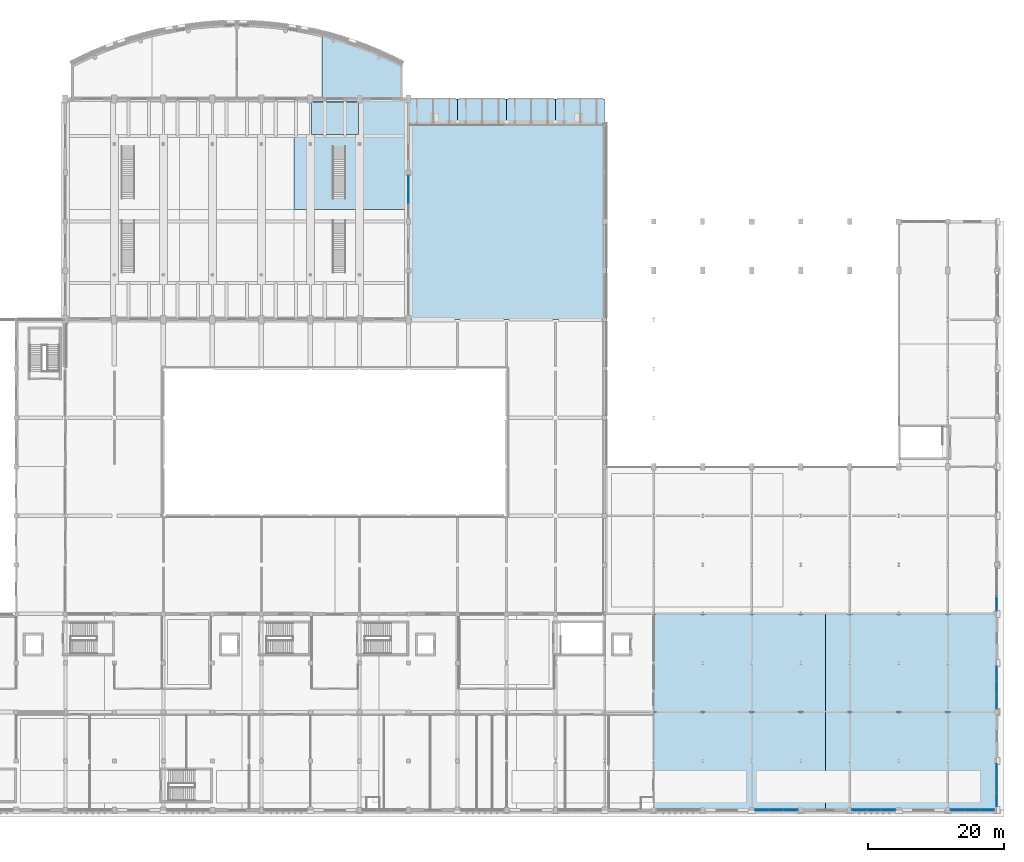
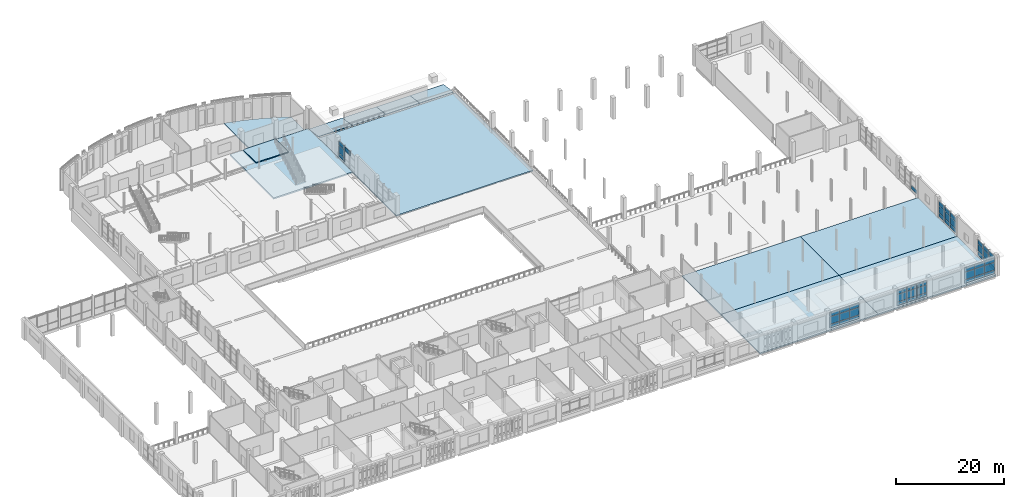
# One storey, part 49 of 82: 50 plates, 12 slabs, 7 elements without a shape of their own.
"""IFC4 building model written with IfcOpenShell, lengths in metres."""

from ifc_helpers import new_model, si_unit, direction, frame, origin, origin_2d, place, context, subcontext, project, spatial, polyline, rectangle, outline, extrude, material, layer, layer_set, type_object, element, aggregate, save


model = new_model("IFC4")

# Units and contexts
model_context = context("Model", 3, precision=1e-05, world=origin(), true_north=direction((0.0, 1.0)))
body_context = subcontext(model_context, "Body", "Model", "MODEL_VIEW")
ifc_project = project(units=[si_unit("LENGTHUNIT", "METRE"), si_unit("AREAUNIT", "SQUARE_METRE"), si_unit("VOLUMEUNIT", "CUBIC_METRE"), si_unit("PLANEANGLEUNIT", "RADIAN"), si_unit("MASSUNIT", "GRAM", prefix="KILO")], contexts=[model_context])

# Site, building, storey
site_placement = place(None, origin())
site = spatial("IfcSite", under=ifc_project, at=site_placement, CompositionType="ELEMENT")
building_placement = place(site_placement, origin())
building = spatial("IfcBuilding", under=site, at=building_placement, Name="Sardonyx Promenade Sports Hall", CompositionType="ELEMENT")
storey_placement = place(building_placement, frame((0.0, 0.0, 11.199951171875)))
storey = spatial("IfcBuildingStorey", under=building, at=storey_placement, Name="L02", CompositionType="ELEMENT", Elevation=11.199951171875)

# Curtain wall, plates
ifc_material_1 = material(Name="Aluminium 6063-T6", Category="aluminium")
curtain_wall_type_1 = type_object("IfcCurtainWallType", Name="CW_South_L02_640", PredefinedType="USERDEFINED", material=ifc_material_1)
curtain_wall_1_placement = place(storey_placement, origin())
curtain_wall_1 = element("IfcCurtainWall", 1, at=curtain_wall_1_placement, inside=storey, type_object=curtain_wall_type_1, Name="Curtain wall CW01 cw:L02:029", ObjectType="CURTAIN WALL", PredefinedType="USERDEFINED")
ifc_material_2 = material(Name="Double-glazed solar low-E IGU 28 mm", Category="glass")
ifc_layer_1 = layer(ifc_material_2, 0.028076171875)
ifc_layer_set_1 = layer_set([ifc_layer_1], Name="CW_Pan_Glz_28")
plate_type_1 = type_object("IfcPlateType", Name="CW_Pan_Glz_28", PredefinedType="CURTAIN_PANEL", material=ifc_layer_set_1)
plate_1_placement = place(storey_placement, frame((164.17333984375, 0.0, 0.4150390625), z_axis=(0.0, 0.0, 1.0), x_axis=(-1.0, 0.0, 0.0)))
plate_1 = element("IfcPlate", 2, at=plate_1_placement, type_object=plate_type_1, Name="Curtain panel CP01 cw:L02:029 #1", PredefinedType="CURTAIN_PANEL", context=body_context, shape_type="SweptSolid", body=[
    extrude(rectangle(XDim=2.083251953125, YDim=0.028076171875, at=origin_2d()), origin(), (0.0, 0.0, 1.0), 0.802490234375),
])
plate_2_placement = place(storey_placement, frame((164.17333984375, 0.0, 1.282470703125), z_axis=(0.0, 0.0, 1.0), x_axis=(-1.0, 0.0, 0.0)))
plate_2 = element("IfcPlate", 3, at=plate_2_placement, type_object=plate_type_1, Name="Curtain panel CP01 cw:L02:029 #2", PredefinedType="CURTAIN_PANEL", context=body_context, shape_type="SweptSolid", body=[
    extrude(rectangle(XDim=2.083251953125, YDim=0.028076171875, at=origin_2d()), origin(), (0.0, 0.0, 1.0), 1.68505859375),
])
plate_3_placement = place(storey_placement, frame((164.17333984375, 0.0, 3.03271484375), z_axis=(0.0, 0.0, 1.0), x_axis=(-1.0, 0.0, 0.0)))
plate_3 = element("IfcPlate", 4, at=plate_3_placement, type_object=plate_type_1, Name="Curtain panel CP01 cw:L02:029 #3", PredefinedType="CURTAIN_PANEL", context=body_context, shape_type="SweptSolid", body=[
    extrude(rectangle(XDim=2.083251953125, YDim=0.028076171875, at=origin_2d()), origin(), (0.0, 0.0, 1.0), 0.952392578125),
])
plate_4_placement = place(storey_placement, frame((162.02490234375, 0.0, 0.4150390625), z_axis=(0.0, 0.0, 1.0), x_axis=(-1.0, 0.0, 0.0)))
plate_4 = element("IfcPlate", 5, at=plate_4_placement, type_object=plate_type_1, Name="Curtain panel CP01 cw:L02:029 #4", PredefinedType="CURTAIN_PANEL", context=body_context, shape_type="SweptSolid", body=[
    extrude(rectangle(XDim=2.083251953125, YDim=0.028076171875, at=origin_2d()), origin(), (0.0, 0.0, 1.0), 0.802490234375),
])
plate_5_placement = place(storey_placement, frame((162.02490234375, 0.0, 1.282470703125), z_axis=(0.0, 0.0, 1.0), x_axis=(-1.0, 0.0, 0.0)))
plate_5 = element("IfcPlate", 6, at=plate_5_placement, type_object=plate_type_1, Name="Curtain panel CP01 cw:L02:029 #5", PredefinedType="CURTAIN_PANEL", context=body_context, shape_type="SweptSolid", body=[
    extrude(rectangle(XDim=2.083251953125, YDim=0.028076171875, at=origin_2d()), origin(), (0.0, 0.0, 1.0), 1.68505859375),
])
plate_6_placement = place(storey_placement, frame((162.02490234375, 0.0, 3.03271484375), z_axis=(0.0, 0.0, 1.0), x_axis=(-1.0, 0.0, 0.0)))
plate_6 = element("IfcPlate", 7, at=plate_6_placement, type_object=plate_type_1, Name="Curtain panel CP01 cw:L02:029 #6", PredefinedType="CURTAIN_PANEL", context=body_context, shape_type="SweptSolid", body=[
    extrude(rectangle(XDim=2.083251953125, YDim=0.028076171875, at=origin_2d()), origin(), (0.0, 0.0, 1.0), 0.952392578125),
])
plate_7_placement = place(storey_placement, frame((159.876708984375, 0.0, 0.4150390625), z_axis=(0.0, 0.0, 1.0), x_axis=(-1.0, 0.0, 0.0)))
plate_7 = element("IfcPlate", 8, at=plate_7_placement, type_object=plate_type_1, Name="Curtain panel CP01 cw:L02:029 #7", PredefinedType="CURTAIN_PANEL", context=body_context, shape_type="SweptSolid", body=[
    extrude(rectangle(XDim=2.083251953125, YDim=0.028076171875, at=origin_2d()), origin(), (0.0, 0.0, 1.0), 0.802490234375),
])
plate_8_placement = place(storey_placement, frame((159.876708984375, 0.0, 1.282470703125), z_axis=(0.0, 0.0, 1.0), x_axis=(-1.0, 0.0, 0.0)))
plate_8 = element("IfcPlate", 9, at=plate_8_placement, type_object=plate_type_1, Name="Curtain panel CP01 cw:L02:029 #8", PredefinedType="CURTAIN_PANEL", context=body_context, shape_type="SweptSolid", body=[
    extrude(rectangle(XDim=2.083251953125, YDim=0.028076171875, at=origin_2d()), origin(), (0.0, 0.0, 1.0), 1.68505859375),
])
plate_9_placement = place(storey_placement, frame((159.876708984375, 0.0, 3.03271484375), z_axis=(0.0, 0.0, 1.0), x_axis=(-1.0, 0.0, 0.0)))
plate_9 = element("IfcPlate", 10, at=plate_9_placement, type_object=plate_type_1, Name="Curtain panel CP01 cw:L02:029 #9", PredefinedType="CURTAIN_PANEL", context=body_context, shape_type="SweptSolid", body=[
    extrude(rectangle(XDim=2.083251953125, YDim=0.028076171875, at=origin_2d()), origin(), (0.0, 0.0, 1.0), 0.952392578125),
])
aggregate(curtain_wall_1, [plate_1, plate_2, plate_3, plate_4, plate_5, plate_6, plate_7, plate_8, plate_9])

curtain_wall_2_placement = place(storey_placement, origin())
curtain_wall_2 = element("IfcCurtainWall", 11, at=curtain_wall_2_placement, inside=storey, type_object=curtain_wall_type_1, Name="Curtain wall CW01 cw:L02:030", ObjectType="CURTAIN WALL", PredefinedType="USERDEFINED")
plate_10_placement = place(storey_placement, frame((149.681640625, 0.0, 0.4150390625), z_axis=(0.0, 0.0, 1.0), x_axis=(-1.0, 0.0, 0.0)))
plate_10 = element("IfcPlate", 12, at=plate_10_placement, type_object=plate_type_1, Name="Curtain panel CP01 cw:L02:030 #1", PredefinedType="CURTAIN_PANEL", context=body_context, shape_type="SweptSolid", body=[
    extrude(rectangle(XDim=2.066650390625, YDim=0.028076171875, at=origin_2d()), origin(), (0.0, 0.0, 1.0), 0.802490234375),
])
plate_11_placement = place(storey_placement, frame((149.681640625, 0.0, 1.282470703125), z_axis=(0.0, 0.0, 1.0), x_axis=(-1.0, 0.0, 0.0)))
plate_11 = element("IfcPlate", 13, at=plate_11_placement, type_object=plate_type_1, Name="Curtain panel CP01 cw:L02:030 #2", PredefinedType="CURTAIN_PANEL", context=body_context, shape_type="SweptSolid", body=[
    extrude(rectangle(XDim=2.066650390625, YDim=0.028076171875, at=origin_2d()), origin(), (0.0, 0.0, 1.0), 1.68505859375),
])
plate_12_placement = place(storey_placement, frame((149.681640625, 0.0, 3.03271484375), z_axis=(0.0, 0.0, 1.0), x_axis=(-1.0, 0.0, 0.0)))
plate_12 = element("IfcPlate", 14, at=plate_12_placement, type_object=plate_type_1, Name="Curtain panel CP01 cw:L02:030 #3", PredefinedType="CURTAIN_PANEL", context=body_context, shape_type="SweptSolid", body=[
    extrude(rectangle(XDim=2.066650390625, YDim=0.028076171875, at=origin_2d()), origin(), (0.0, 0.0, 1.0), 0.952392578125),
])
plate_13_placement = place(storey_placement, frame((147.550048828125, 0.0, 0.4150390625), z_axis=(0.0, 0.0, 1.0), x_axis=(-1.0, 0.0, 0.0)))
plate_13 = element("IfcPlate", 15, at=plate_13_placement, type_object=plate_type_1, Name="Curtain panel CP01 cw:L02:030 #4", PredefinedType="CURTAIN_PANEL", context=body_context, shape_type="SweptSolid", body=[
    extrude(rectangle(XDim=2.066650390625, YDim=0.028076171875, at=origin_2d()), origin(), (0.0, 0.0, 1.0), 0.802490234375),
])
plate_14_placement = place(storey_placement, frame((147.550048828125, 0.0, 1.282470703125), z_axis=(0.0, 0.0, 1.0), x_axis=(-1.0, 0.0, 0.0)))
plate_14 = element("IfcPlate", 16, at=plate_14_placement, type_object=plate_type_1, Name="Curtain panel CP01 cw:L02:030 #5", PredefinedType="CURTAIN_PANEL", context=body_context, shape_type="SweptSolid", body=[
    extrude(rectangle(XDim=2.066650390625, YDim=0.028076171875, at=origin_2d()), origin(), (0.0, 0.0, 1.0), 1.68505859375),
])
plate_15_placement = place(storey_placement, frame((147.550048828125, 0.0, 3.03271484375), z_axis=(0.0, 0.0, 1.0), x_axis=(-1.0, 0.0, 0.0)))
plate_15 = element("IfcPlate", 17, at=plate_15_placement, type_object=plate_type_1, Name="Curtain panel CP01 cw:L02:030 #6", PredefinedType="CURTAIN_PANEL", context=body_context, shape_type="SweptSolid", body=[
    extrude(rectangle(XDim=2.066650390625, YDim=0.028076171875, at=origin_2d()), origin(), (0.0, 0.0, 1.0), 0.952392578125),
])
plate_16_placement = place(storey_placement, frame((145.418212890625, 0.0, 0.4150390625), z_axis=(0.0, 0.0, 1.0), x_axis=(-1.0, 0.0, 0.0)))
plate_16 = element("IfcPlate", 18, at=plate_16_placement, type_object=plate_type_1, Name="Curtain panel CP01 cw:L02:030 #7", PredefinedType="CURTAIN_PANEL", context=body_context, shape_type="SweptSolid", body=[
    extrude(rectangle(XDim=2.066650390625, YDim=0.028076171875, at=origin_2d()), origin(), (0.0, 0.0, 1.0), 0.802490234375),
])
plate_17_placement = place(storey_placement, frame((145.418212890625, 0.0, 1.282470703125), z_axis=(0.0, 0.0, 1.0), x_axis=(-1.0, 0.0, 0.0)))
plate_17 = element("IfcPlate", 19, at=plate_17_placement, type_object=plate_type_1, Name="Curtain panel CP01 cw:L02:030 #8", PredefinedType="CURTAIN_PANEL", context=body_context, shape_type="SweptSolid", body=[
    extrude(rectangle(XDim=2.066650390625, YDim=0.028076171875, at=origin_2d()), origin(), (0.0, 0.0, 1.0), 1.68505859375),
])
plate_18_placement = place(storey_placement, frame((145.418212890625, 0.0, 3.03271484375), z_axis=(0.0, 0.0, 1.0), x_axis=(-1.0, 0.0, 0.0)))
plate_18 = element("IfcPlate", 20, at=plate_18_placement, type_object=plate_type_1, Name="Curtain panel CP01 cw:L02:030 #9", PredefinedType="CURTAIN_PANEL", context=body_context, shape_type="SweptSolid", body=[
    extrude(rectangle(XDim=2.066650390625, YDim=0.028076171875, at=origin_2d()), origin(), (0.0, 0.0, 1.0), 0.952392578125),
])
aggregate(curtain_wall_2, [plate_10, plate_11, plate_12, plate_13, plate_14, plate_15, plate_16, plate_17, plate_18])

curtain_wall_3_placement = place(storey_placement, origin())
curtain_wall_3 = element("IfcCurtainWall", 21, at=curtain_wall_3_placement, inside=storey, type_object=curtain_wall_type_1, Name="Curtain wall CW01 cw:L02:031", ObjectType="CURTAIN WALL", PredefinedType="USERDEFINED")
plate_19_placement = place(storey_placement, frame((135.340087890625, 0.0, 0.4150390625), z_axis=(0.0, 0.0, 1.0), x_axis=(-1.0, 0.0, 0.0)))
plate_19 = element("IfcPlate", 22, at=plate_19_placement, type_object=plate_type_1, Name="Curtain panel CP01 cw:L02:031 #1", PredefinedType="CURTAIN_PANEL", context=body_context, shape_type="SweptSolid", body=[
    extrude(rectangle(XDim=2.050048828125, YDim=0.028076171875, at=origin_2d()), origin(), (0.0, 0.0, 1.0), 0.802490234375),
])
plate_20_placement = place(storey_placement, frame((135.340087890625, 0.0, 1.282470703125), z_axis=(0.0, 0.0, 1.0), x_axis=(-1.0, 0.0, 0.0)))
plate_20 = element("IfcPlate", 23, at=plate_20_placement, type_object=plate_type_1, Name="Curtain panel CP01 cw:L02:031 #2", PredefinedType="CURTAIN_PANEL", context=body_context, shape_type="SweptSolid", body=[
    extrude(rectangle(XDim=2.050048828125, YDim=0.028076171875, at=origin_2d()), origin(), (0.0, 0.0, 1.0), 1.68505859375),
])
plate_21_placement = place(storey_placement, frame((135.340087890625, 0.0, 3.03271484375), z_axis=(0.0, 0.0, 1.0), x_axis=(-1.0, 0.0, 0.0)))
plate_21 = element("IfcPlate", 24, at=plate_21_placement, type_object=plate_type_1, Name="Curtain panel CP01 cw:L02:031 #3", PredefinedType="CURTAIN_PANEL", context=body_context, shape_type="SweptSolid", body=[
    extrude(rectangle(XDim=2.050048828125, YDim=0.028076171875, at=origin_2d()), origin(), (0.0, 0.0, 1.0), 0.952392578125),
])
plate_22_placement = place(storey_placement, frame((133.22509765625, 0.0, 0.4150390625), z_axis=(0.0, 0.0, 1.0), x_axis=(-1.0, 0.0, 0.0)))
plate_22 = element("IfcPlate", 25, at=plate_22_placement, type_object=plate_type_1, Name="Curtain panel CP01 cw:L02:031 #4", PredefinedType="CURTAIN_PANEL", context=body_context, shape_type="SweptSolid", body=[
    extrude(rectangle(XDim=2.050048828125, YDim=0.028076171875, at=origin_2d()), origin(), (0.0, 0.0, 1.0), 0.802490234375),
])
plate_23_placement = place(storey_placement, frame((133.22509765625, 0.0, 1.282470703125), z_axis=(0.0, 0.0, 1.0), x_axis=(-1.0, 0.0, 0.0)))
plate_23 = element("IfcPlate", 26, at=plate_23_placement, type_object=plate_type_1, Name="Curtain panel CP01 cw:L02:031 #5", PredefinedType="CURTAIN_PANEL", context=body_context, shape_type="SweptSolid", body=[
    extrude(rectangle(XDim=2.050048828125, YDim=0.028076171875, at=origin_2d()), origin(), (0.0, 0.0, 1.0), 1.68505859375),
])
plate_24_placement = place(storey_placement, frame((133.22509765625, 0.0, 3.03271484375), z_axis=(0.0, 0.0, 1.0), x_axis=(-1.0, 0.0, 0.0)))
plate_24 = element("IfcPlate", 27, at=plate_24_placement, type_object=plate_type_1, Name="Curtain panel CP01 cw:L02:031 #6", PredefinedType="CURTAIN_PANEL", context=body_context, shape_type="SweptSolid", body=[
    extrude(rectangle(XDim=2.050048828125, YDim=0.028076171875, at=origin_2d()), origin(), (0.0, 0.0, 1.0), 0.952392578125),
])
plate_25_placement = place(storey_placement, frame((131.110107421875, 0.0, 0.4150390625), z_axis=(0.0, 0.0, 1.0), x_axis=(-1.0, 0.0, 0.0)))
plate_25 = element("IfcPlate", 28, at=plate_25_placement, type_object=plate_type_1, Name="Curtain panel CP01 cw:L02:031 #7", PredefinedType="CURTAIN_PANEL", context=body_context, shape_type="SweptSolid", body=[
    extrude(rectangle(XDim=2.050048828125, YDim=0.028076171875, at=origin_2d()), origin(), (0.0, 0.0, 1.0), 0.802490234375),
])
plate_26_placement = place(storey_placement, frame((131.110107421875, 0.0, 1.282470703125), z_axis=(0.0, 0.0, 1.0), x_axis=(-1.0, 0.0, 0.0)))
plate_26 = element("IfcPlate", 29, at=plate_26_placement, type_object=plate_type_1, Name="Curtain panel CP01 cw:L02:031 #8", PredefinedType="CURTAIN_PANEL", context=body_context, shape_type="SweptSolid", body=[
    extrude(rectangle(XDim=2.050048828125, YDim=0.028076171875, at=origin_2d()), origin(), (0.0, 0.0, 1.0), 1.68505859375),
])
plate_27_placement = place(storey_placement, frame((131.110107421875, 0.0, 3.03271484375), z_axis=(0.0, 0.0, 1.0), x_axis=(-1.0, 0.0, 0.0)))
plate_27 = element("IfcPlate", 30, at=plate_27_placement, type_object=plate_type_1, Name="Curtain panel CP01 cw:L02:031 #9", PredefinedType="CURTAIN_PANEL", context=body_context, shape_type="SweptSolid", body=[
    extrude(rectangle(XDim=2.050048828125, YDim=0.028076171875, at=origin_2d()), origin(), (0.0, 0.0, 1.0), 0.952392578125),
])
aggregate(curtain_wall_3, [plate_19, plate_20, plate_21, plate_22, plate_23, plate_24, plate_25, plate_26, plate_27])

curtain_wall_4_placement = place(storey_placement, origin())
curtain_wall_4 = element("IfcCurtainWall", 31, at=curtain_wall_4_placement, inside=storey, type_object=curtain_wall_type_1, Name="Curtain wall CW01 cw:L02:148", ObjectType="CURTAIN WALL", PredefinedType="USERDEFINED")
plate_28_placement = place(storey_placement, frame((79.199951171875, 92.106689453125, 0.46484375), z_axis=(0.0, 0.0, 1.0), x_axis=(0.0, -1.0, 0.0)))
plate_28 = element("IfcPlate", 32, at=plate_28_placement, type_object=plate_type_1, Name="Curtain panel CP01 cw:L02:148 #1", PredefinedType="CURTAIN_PANEL", context=body_context, shape_type="SweptSolid", body=[
    extrude(rectangle(XDim=2.0166015625, YDim=0.028076171875, at=origin_2d()), origin(), (0.0, 0.0, 1.0), 0.802490234375),
])
plate_29_placement = place(storey_placement, frame((79.199951171875, 92.106689453125, 1.33251953125), z_axis=(0.0, 0.0, 1.0), x_axis=(0.0, -1.0, 0.0)))
plate_29 = element("IfcPlate", 33, at=plate_29_placement, type_object=plate_type_1, Name="Curtain panel CP01 cw:L02:148 #2", PredefinedType="CURTAIN_PANEL", context=body_context, shape_type="SweptSolid", body=[
    extrude(rectangle(XDim=2.0166015625, YDim=0.028076171875, at=origin_2d()), origin(), (0.0, 0.0, 1.0), 1.68505859375),
])
plate_30_placement = place(storey_placement, frame((79.199951171875, 92.106689453125, 3.08251953125), z_axis=(0.0, 0.0, 1.0), x_axis=(0.0, -1.0, 0.0)))
plate_30 = element("IfcPlate", 34, at=plate_30_placement, type_object=plate_type_1, Name="Curtain panel CP01 cw:L02:148 #3", PredefinedType="CURTAIN_PANEL", context=body_context, shape_type="SweptSolid", body=[
    extrude(rectangle(XDim=2.0166015625, YDim=0.028076171875, at=origin_2d()), origin(), (0.0, 0.0, 1.0), 0.952392578125),
])
plate_31_placement = place(storey_placement, frame((79.199951171875, 90.02490234375, 3.08251953125), z_axis=(0.0, 0.0, 1.0), x_axis=(0.0, -1.0, 0.0)))
plate_31 = element("IfcPlate", 35, at=plate_31_placement, type_object=plate_type_1, Name="Curtain panel CP01 cw:L02:148 #6", PredefinedType="CURTAIN_PANEL", context=body_context, shape_type="SweptSolid", body=[
    extrude(rectangle(XDim=2.0166015625, YDim=0.028076171875, at=origin_2d()), origin(), (0.0, 0.0, 1.0), 0.952392578125),
])
aggregate(curtain_wall_4, [plate_28, plate_29, plate_30, plate_31])

# Curtain wall, plate
ifc_material_3 = material(Name="Aluminium 6063-T6", Category="aluminium")
curtain_wall_type_2 = type_object("IfcCurtainWallType", Name="CW_Prac_East_L02", PredefinedType="USERDEFINED", material=ifc_material_3)
curtain_wall_5_placement = place(storey_placement, origin())
curtain_wall_5 = element("IfcCurtainWall", 36, at=curtain_wall_5_placement, inside=storey, type_object=curtain_wall_type_2, Name="Curtain wall CW03 cw:L02:057", ObjectType="CURTAIN WALL", PredefinedType="USERDEFINED")
ifc_material_4 = material(Name="Laminated safety sports IGU 36 mm", Category="glass")
ifc_layer_2 = layer(ifc_material_4, 0.035888671875)
ifc_layer_set_2 = layer_set([ifc_layer_2], Name="CW_Pan_Glz_36")
plate_type_2 = type_object("IfcPlateType", Name="CW_Pan_Glz_36", PredefinedType="CURTAIN_PANEL", material=ifc_layer_set_2)
plate_32_placement = place(storey_placement, frame((165.60009765625, 30.31005859375, 0.4150390625), z_axis=(0.0, 0.0, 1.0), x_axis=(0.0, -1.0, 0.0)))
plate_32 = element("IfcPlate", 37, at=plate_32_placement, type_object=plate_type_2, Name="Curtain panel CP03 cw:L02:057 #7", PredefinedType="CURTAIN_PANEL", context=body_context, shape_type="SweptSolid", body=[
    extrude(rectangle(XDim=2.050048828125, YDim=0.035888671875, at=origin_2d()), origin(), (0.0, 0.0, 1.0), 0.8525390625),
])
aggregate(curtain_wall_5, [plate_32])

# Curtain wall, plates
curtain_wall_6_placement = place(storey_placement, origin())
curtain_wall_6 = element("IfcCurtainWall", 38, at=curtain_wall_6_placement, inside=storey, type_object=curtain_wall_type_2, Name="Curtain wall CW03 cw:L02:058", ObjectType="CURTAIN WALL", PredefinedType="USERDEFINED")
plate_33_placement = place(storey_placement, frame((165.60009765625, 20.04833984375, 0.4150390625), z_axis=(0.0, 0.0, 1.0), x_axis=(0.0, -1.0, 0.0)))
plate_33 = element("IfcPlate", 39, at=plate_33_placement, type_object=plate_type_2, Name="Curtain panel CP03 cw:L02:058 #1", PredefinedType="CURTAIN_PANEL", context=body_context, shape_type="SweptSolid", body=[
    extrude(rectangle(XDim=2.033447265625, YDim=0.035888671875, at=origin_2d()), origin(), (0.0, 0.0, 1.0), 0.8525390625),
])
plate_34_placement = place(storey_placement, frame((165.60009765625, 20.04833984375, 1.33251953125), z_axis=(0.0, 0.0, 1.0), x_axis=(0.0, -1.0, 0.0)))
plate_34 = element("IfcPlate", 40, at=plate_34_placement, type_object=plate_type_2, Name="Curtain panel CP03 cw:L02:058 #2", PredefinedType="CURTAIN_PANEL", context=body_context, shape_type="SweptSolid", body=[
    extrude(rectangle(XDim=2.033447265625, YDim=0.035888671875, at=origin_2d()), origin(), (0.0, 0.0, 1.0), 1.534912109375),
])
plate_35_placement = place(storey_placement, frame((165.60009765625, 20.04833984375, 2.9326171875), z_axis=(0.0, 0.0, 1.0), x_axis=(0.0, -1.0, 0.0)))
plate_35 = element("IfcPlate", 41, at=plate_35_placement, type_object=plate_type_2, Name="Curtain panel CP03 cw:L02:058 #3", PredefinedType="CURTAIN_PANEL", context=body_context, shape_type="SweptSolid", body=[
    extrude(rectangle(XDim=2.033447265625, YDim=0.035888671875, at=origin_2d()), origin(), (0.0, 0.0, 1.0), 0.952392578125),
])
plate_36_placement = place(storey_placement, frame((165.60009765625, 17.949951171875, 0.4150390625), z_axis=(0.0, 0.0, 1.0), x_axis=(0.0, -1.0, 0.0)))
plate_36 = element("IfcPlate", 42, at=plate_36_placement, type_object=plate_type_2, Name="Curtain panel CP03 cw:L02:058 #4", PredefinedType="CURTAIN_PANEL", context=body_context, shape_type="SweptSolid", body=[
    extrude(rectangle(XDim=2.033447265625, YDim=0.035888671875, at=origin_2d()), origin(), (0.0, 0.0, 1.0), 0.8525390625),
])
plate_37_placement = place(storey_placement, frame((165.60009765625, 17.949951171875, 1.33251953125), z_axis=(0.0, 0.0, 1.0), x_axis=(0.0, -1.0, 0.0)))
plate_37 = element("IfcPlate", 43, at=plate_37_placement, type_object=plate_type_2, Name="Curtain panel CP03 cw:L02:058 #5", PredefinedType="CURTAIN_PANEL", context=body_context, shape_type="SweptSolid", body=[
    extrude(rectangle(XDim=2.033447265625, YDim=0.035888671875, at=origin_2d()), origin(), (0.0, 0.0, 1.0), 1.534912109375),
])
plate_38_placement = place(storey_placement, frame((165.60009765625, 17.949951171875, 2.9326171875), z_axis=(0.0, 0.0, 1.0), x_axis=(0.0, -1.0, 0.0)))
plate_38 = element("IfcPlate", 44, at=plate_38_placement, type_object=plate_type_2, Name="Curtain panel CP03 cw:L02:058 #6", PredefinedType="CURTAIN_PANEL", context=body_context, shape_type="SweptSolid", body=[
    extrude(rectangle(XDim=2.033447265625, YDim=0.035888671875, at=origin_2d()), origin(), (0.0, 0.0, 1.0), 0.952392578125),
])
plate_39_placement = place(storey_placement, frame((165.60009765625, 15.8515625, 0.4150390625), z_axis=(0.0, 0.0, 1.0), x_axis=(0.0, -1.0, 0.0)))
plate_39 = element("IfcPlate", 45, at=plate_39_placement, type_object=plate_type_2, Name="Curtain panel CP03 cw:L02:058 #7", PredefinedType="CURTAIN_PANEL", context=body_context, shape_type="SweptSolid", body=[
    extrude(rectangle(XDim=2.033447265625, YDim=0.035888671875, at=origin_2d()), origin(), (0.0, 0.0, 1.0), 0.8525390625),
])
plate_40_placement = place(storey_placement, frame((165.60009765625, 15.8515625, 1.33251953125), z_axis=(0.0, 0.0, 1.0), x_axis=(0.0, -1.0, 0.0)))
plate_40 = element("IfcPlate", 46, at=plate_40_placement, type_object=plate_type_2, Name="Curtain panel CP03 cw:L02:058 #8", PredefinedType="CURTAIN_PANEL", context=body_context, shape_type="SweptSolid", body=[
    extrude(rectangle(XDim=2.033447265625, YDim=0.035888671875, at=origin_2d()), origin(), (0.0, 0.0, 1.0), 1.534912109375),
])
plate_41_placement = place(storey_placement, frame((165.60009765625, 15.8515625, 2.9326171875), z_axis=(0.0, 0.0, 1.0), x_axis=(0.0, -1.0, 0.0)))
plate_41 = element("IfcPlate", 47, at=plate_41_placement, type_object=plate_type_2, Name="Curtain panel CP03 cw:L02:058 #9", PredefinedType="CURTAIN_PANEL", context=body_context, shape_type="SweptSolid", body=[
    extrude(rectangle(XDim=2.033447265625, YDim=0.035888671875, at=origin_2d()), origin(), (0.0, 0.0, 1.0), 0.952392578125),
])
aggregate(curtain_wall_6, [plate_33, plate_34, plate_35, plate_36, plate_37, plate_38, plate_39, plate_40, plate_41])

curtain_wall_7_placement = place(storey_placement, origin())
curtain_wall_7 = element("IfcCurtainWall", 48, at=curtain_wall_7_placement, inside=storey, type_object=curtain_wall_type_2, Name="Curtain wall CW03 cw:L02:059", ObjectType="CURTAIN WALL", PredefinedType="USERDEFINED")
plate_42_placement = place(storey_placement, frame((165.60009765625, 5.706787109375, 0.4150390625), z_axis=(0.0, 0.0, 1.0), x_axis=(0.0, -1.0, 0.0)))
plate_42 = element("IfcPlate", 49, at=plate_42_placement, type_object=plate_type_2, Name="Curtain panel CP03 cw:L02:059 #1", PredefinedType="CURTAIN_PANEL", context=body_context, shape_type="SweptSolid", body=[
    extrude(rectangle(XDim=2.0166015625, YDim=0.035888671875, at=origin_2d()), origin(), (0.0, 0.0, 1.0), 0.8525390625),
])
plate_43_placement = place(storey_placement, frame((165.60009765625, 5.706787109375, 1.33251953125), z_axis=(0.0, 0.0, 1.0), x_axis=(0.0, -1.0, 0.0)))
plate_43 = element("IfcPlate", 50, at=plate_43_placement, type_object=plate_type_2, Name="Curtain panel CP03 cw:L02:059 #2", PredefinedType="CURTAIN_PANEL", context=body_context, shape_type="SweptSolid", body=[
    extrude(rectangle(XDim=2.0166015625, YDim=0.035888671875, at=origin_2d()), origin(), (0.0, 0.0, 1.0), 1.534912109375),
])
plate_44_placement = place(storey_placement, frame((165.60009765625, 5.706787109375, 2.9326171875), z_axis=(0.0, 0.0, 1.0), x_axis=(0.0, -1.0, 0.0)))
plate_44 = element("IfcPlate", 51, at=plate_44_placement, type_object=plate_type_2, Name="Curtain panel CP03 cw:L02:059 #3", PredefinedType="CURTAIN_PANEL", context=body_context, shape_type="SweptSolid", body=[
    extrude(rectangle(XDim=2.0166015625, YDim=0.035888671875, at=origin_2d()), origin(), (0.0, 0.0, 1.0), 0.952392578125),
])
plate_45_placement = place(storey_placement, frame((165.60009765625, 3.625, 0.4150390625), z_axis=(0.0, 0.0, 1.0), x_axis=(0.0, -1.0, 0.0)))
plate_45 = element("IfcPlate", 52, at=plate_45_placement, type_object=plate_type_2, Name="Curtain panel CP03 cw:L02:059 #4", PredefinedType="CURTAIN_PANEL", context=body_context, shape_type="SweptSolid", body=[
    extrude(rectangle(XDim=2.0166015625, YDim=0.035888671875, at=origin_2d()), origin(), (0.0, 0.0, 1.0), 0.8525390625),
])
plate_46_placement = place(storey_placement, frame((165.60009765625, 3.625, 1.33251953125), z_axis=(0.0, 0.0, 1.0), x_axis=(0.0, -1.0, 0.0)))
plate_46 = element("IfcPlate", 53, at=plate_46_placement, type_object=plate_type_2, Name="Curtain panel CP03 cw:L02:059 #5", PredefinedType="CURTAIN_PANEL", context=body_context, shape_type="SweptSolid", body=[
    extrude(rectangle(XDim=2.0166015625, YDim=0.035888671875, at=origin_2d()), origin(), (0.0, 0.0, 1.0), 1.534912109375),
])
plate_47_placement = place(storey_placement, frame((165.60009765625, 3.625, 2.9326171875), z_axis=(0.0, 0.0, 1.0), x_axis=(0.0, -1.0, 0.0)))
plate_47 = element("IfcPlate", 54, at=plate_47_placement, type_object=plate_type_2, Name="Curtain panel CP03 cw:L02:059 #6", PredefinedType="CURTAIN_PANEL", context=body_context, shape_type="SweptSolid", body=[
    extrude(rectangle(XDim=2.0166015625, YDim=0.035888671875, at=origin_2d()), origin(), (0.0, 0.0, 1.0), 0.952392578125),
])
plate_48_placement = place(storey_placement, frame((165.60009765625, 1.543212890625, 0.4150390625), z_axis=(0.0, 0.0, 1.0), x_axis=(0.0, -1.0, 0.0)))
plate_48 = element("IfcPlate", 55, at=plate_48_placement, type_object=plate_type_2, Name="Curtain panel CP03 cw:L02:059 #7", PredefinedType="CURTAIN_PANEL", context=body_context, shape_type="SweptSolid", body=[
    extrude(rectangle(XDim=2.0166015625, YDim=0.035888671875, at=origin_2d()), origin(), (0.0, 0.0, 1.0), 0.8525390625),
])
plate_49_placement = place(storey_placement, frame((165.60009765625, 1.543212890625, 1.33251953125), z_axis=(0.0, 0.0, 1.0), x_axis=(0.0, -1.0, 0.0)))
plate_49 = element("IfcPlate", 56, at=plate_49_placement, type_object=plate_type_2, Name="Curtain panel CP03 cw:L02:059 #8", PredefinedType="CURTAIN_PANEL", context=body_context, shape_type="SweptSolid", body=[
    extrude(rectangle(XDim=2.0166015625, YDim=0.035888671875, at=origin_2d()), origin(), (0.0, 0.0, 1.0), 1.534912109375),
])
plate_50_placement = place(storey_placement, frame((165.60009765625, 1.543212890625, 2.9326171875), z_axis=(0.0, 0.0, 1.0), x_axis=(0.0, -1.0, 0.0)))
plate_50 = element("IfcPlate", 57, at=plate_50_placement, type_object=plate_type_2, Name="Curtain panel CP03 cw:L02:059 #9", PredefinedType="CURTAIN_PANEL", context=body_context, shape_type="SweptSolid", body=[
    extrude(rectangle(XDim=2.0166015625, YDim=0.035888671875, at=origin_2d()), origin(), (0.0, 0.0, 1.0), 0.952392578125),
])
aggregate(curtain_wall_7, [plate_42, plate_43, plate_44, plate_45, plate_46, plate_47, plate_48, plate_49, plate_50])

# Slabs
ifc_material_5 = material(Name="Concrete C40/50", Category="concrete")
ifc_layer_3 = layer(ifc_material_5, 0.239990234375)
ifc_layer_set_3 = layer_set([ifc_layer_3], Name="Slab_Ext_Garden_240")
slab_type_1 = type_object("IfcSlabType", Name="Slab_Ext_Garden_240", PredefinedType="ROOF", material=ifc_layer_set_3)
slab_1_placement = place(storey_placement, frame((0.0, 0.0, -0.239990234375)))
element("IfcSlab", 58, at=slab_1_placement, inside=storey, type_object=slab_type_1, Name="Pishtaq planted roof garden L02", PredefinedType="ROOF", context=body_context, shape_type="SweptSolid", body=[
    extrude(outline(polyline([(79.199951171875, 72.0), (108.35009765625, 72.0), (108.35009765625, 100.800048828125), (79.199951171875, 100.800048828125), (79.199951171875, 72.0)])), origin(), (0.0, 0.0, 1.0), 0.239990234375),
])
ifc_material_6 = material(Name="Concrete C40/50", Category="concrete")
ifc_layer_4 = layer(ifc_material_6, 0.2900390625)
ifc_layer_set_4 = layer_set([ifc_layer_4], Name="Slab_Ext_Loggia_220")
slab_type_2 = type_object("IfcSlabType", Name="Slab_Ext_Loggia_220", PredefinedType="FLOOR", material=ifc_layer_set_4)
slab_2_placement = place(storey_placement, frame((0.0, 0.0, -0.2900390625)))
element("IfcSlab", 59, at=slab_2_placement, inside=storey, type_object=slab_type_2, Name="Bowed promenade loggia slab L02 #4", PredefinedType="FLOOR", context=body_context, shape_type="SweptSolid", body=[
    extrude(outline(polyline([(66.477783203125, 104.39990234375), (78.226318359375, 104.39990234375), (78.226318359375, 109.2119140625), (76.619140625, 110.022705078125), (74.985107421875, 110.777587890625), (73.325927734375, 111.475341796875), (71.6435546875, 112.115234375), (69.93994140625, 112.696533203125), (68.21728515625, 113.21875), (66.477783203125, 113.6806640625), (66.477783203125, 104.39990234375)])), origin(), (0.0, 0.0, 1.0), 0.2900390625),
])
slab_3_placement = place(storey_placement, frame((0.0, 0.0, -0.2900390625)))
element("IfcSlab", 60, at=slab_3_placement, inside=storey, type_object=slab_type_2, Name="Slab TS03 L02 #176", PredefinedType="FLOOR", context=body_context, shape_type="SweptSolid", body=[
    extrude(outline(polyline([(115.199951171875, 0.0), (140.39990234375, 0.0), (140.39990234375, 14.39990234375), (115.199951171875, 14.39990234375), (115.199951171875, 0.0)])), origin(), (0.0, 0.0, 1.0), 0.2900390625),
])
slab_4_placement = place(storey_placement, frame((0.0, 0.0, -0.2900390625)))
element("IfcSlab", 61, at=slab_4_placement, inside=storey, type_object=slab_type_2, Name="Slab TS03 L02 #177", PredefinedType="FLOOR", context=body_context, shape_type="SweptSolid", body=[
    extrude(outline(polyline([(115.199951171875, 14.39990234375), (140.39990234375, 14.39990234375), (140.39990234375, 28.800048828125), (115.199951171875, 28.800048828125), (115.199951171875, 14.39990234375)])), origin(), (0.0, 0.0, 1.0), 0.2900390625),
])
slab_5_placement = place(storey_placement, frame((0.0, 0.0, -0.2900390625)))
element("IfcSlab", 62, at=slab_5_placement, inside=storey, type_object=slab_type_2, Name="Slab TS03 L02 #178", PredefinedType="FLOOR", context=body_context, shape_type="SweptSolid", body=[
    extrude(outline(polyline([(140.39990234375, 0.0), (165.60009765625, 0.0), (165.60009765625, 14.39990234375), (140.39990234375, 14.39990234375), (140.39990234375, 0.0)])), origin(), (0.0, 0.0, 1.0), 0.2900390625),
])
slab_6_placement = place(storey_placement, frame((0.0, 0.0, -0.2900390625)))
element("IfcSlab", 63, at=slab_6_placement, inside=storey, type_object=slab_type_2, Name="Slab TS03 L02 #179", PredefinedType="FLOOR", context=body_context, shape_type="SweptSolid", body=[
    extrude(outline(polyline([(140.39990234375, 14.39990234375), (165.60009765625, 14.39990234375), (165.60009765625, 28.800048828125), (140.39990234375, 28.800048828125), (140.39990234375, 14.39990234375)])), origin(), (0.0, 0.0, 1.0), 0.2900390625),
])
ifc_material_7 = material(Name="Post-tensioned concrete C50/60", Category="concrete")
ifc_layer_5 = layer(ifc_material_7, 0.320068359375)
ifc_layer_set_5 = layer_set([ifc_layer_5], Name="Slab_Floor_Arena_320")
slab_type_3 = type_object("IfcSlabType", Name="Slab_Floor_Arena_320", PredefinedType="FLOOR", material=ifc_layer_set_5)
slab_7_placement = place(storey_placement, frame((0.0, 0.0, -0.320068359375)))
element("IfcSlab", 64, at=slab_7_placement, inside=storey, type_object=slab_type_3, Name="Slab FS01 L02 #159", PredefinedType="FLOOR", context=body_context, shape_type="SweptSolid", body=[
    extrude(outline(polyline([(62.39990234375, 88.199951171875), (79.199951171875, 88.199951171875), (79.199951171875, 104.39990234375), (62.39990234375, 104.39990234375), (62.39990234375, 88.199951171875)])), origin(), (0.0, 0.0, 1.0), 0.320068359375),
])
ifc_material_8 = material(Name="Concrete C40/50", Category="concrete")
ifc_layer_6 = layer(ifc_material_8, 0.14990234375)
ifc_layer_set_6 = layer_set([ifc_layer_6], Name="Slab_Roof_Canopy_150")
slab_type_4 = type_object("IfcSlabType", Name="Slab_Roof_Canopy_150", PredefinedType="ROOF", material=ifc_layer_set_6)
slab_8_placement = place(storey_placement, frame((79.199951171875, 104.39990234375, -0.179931640625), z_axis=(0.0, 0.131590841821, 0.991304115975), x_axis=(0.0, -0.991304115975, 0.131590841821)))
element("IfcSlab", 65, at=slab_8_placement, inside=storey, type_object=slab_type_4, Name="Pishtaq entrance canopy slab #1", PredefinedType="ROOF", context=body_context, shape_type="SweptSolid", body=[
    extrude(outline(polyline([(0.0, 0.0), (3.6011393085351586, 0.0), (3.6011393085351586, 7.199951171874999), (0.0, 7.199951171874999), (0.0, 0.0)])), origin(), (0.0, 0.0, -1.0), 0.14990234375),
])
slab_9_placement = place(storey_placement, frame((86.39990234375, 104.39990234375, -0.179931640625), z_axis=(0.0, 0.131590841821, 0.991304115975), x_axis=(0.0, -0.991304115975, 0.131590841821)))
element("IfcSlab", 66, at=slab_9_placement, inside=storey, type_object=slab_type_4, Name="Pishtaq entrance canopy slab #2", PredefinedType="ROOF", context=body_context, shape_type="SweptSolid", body=[
    extrude(outline(polyline([(0.0, 0.0), (3.6011393085351586, 0.0), (3.6011393085351586, 7.200195312500002), (0.0, 7.200195312500002), (0.0, 0.0)])), origin(), (0.0, 0.0, -1.0), 0.14990234375),
])
for number, where, z_axis, x_axis, name in (
    (67, (93.60009765625, 104.39990234375, -0.179931640625), (0.0, 0.131590841821, 0.991304115975), (0.0, -0.991304115975, 0.131590841821), "Pishtaq entrance canopy slab #3"),
    (68, (100.800048828125, 104.39990234375, -0.179931640625), (0.0, 0.131590841821, 0.991304115975), (0.0, -0.991304115975, 0.131590841821), "Pishtaq entrance canopy slab #4"),
):
    element("IfcSlab", number, at=place(storey_placement, frame(where, z_axis=z_axis, x_axis=x_axis)), inside=storey, type_object=slab_type_4, Name=name, PredefinedType="ROOF", context=body_context, shape_type="SweptSolid", body=[
        extrude(outline(polyline([(0.0, 0.0), (3.6011393085351586, 0.0), (3.6011393085351586, 7.199951171874999), (0.0, 7.199951171874999), (0.0, 0.0)])), origin(), (0.0, 0.0, -1.0), 0.14990234375),
    ])
ifc_material_9 = material(Name="Precast concrete C40/50", Category="concrete")
ifc_layer_7 = layer(ifc_material_9, 0.18994140625)
ifc_layer_set_7 = layer_set([ifc_layer_7], Name="Slab_Tier_Precast_190")
slab_type_5 = type_object("IfcSlabType", Name="Slab_Tier_Precast_190", PredefinedType="USERDEFINED", material=ifc_layer_set_7)
slab_10_placement = place(storey_placement, frame((0.0, 0.0, 0.25)))
element("IfcSlab", 69, at=slab_10_placement, inside=storey, type_object=slab_type_5, Name="Stand lower tier N bay 5", ObjectType="SEATING TIER", PredefinedType="USERDEFINED", context=body_context, shape_type="SweptSolid", body=[
    extrude(outline(polyline([(64.949951171875, 99.199951171875), (71.85009765625, 99.199951171875), (71.85009765625, 104.0), (64.949951171875, 104.0), (64.949951171875, 99.199951171875)])), origin(), (0.0, 0.0, 1.0), 0.18994140625),
])

save(model, "model.ifc")
